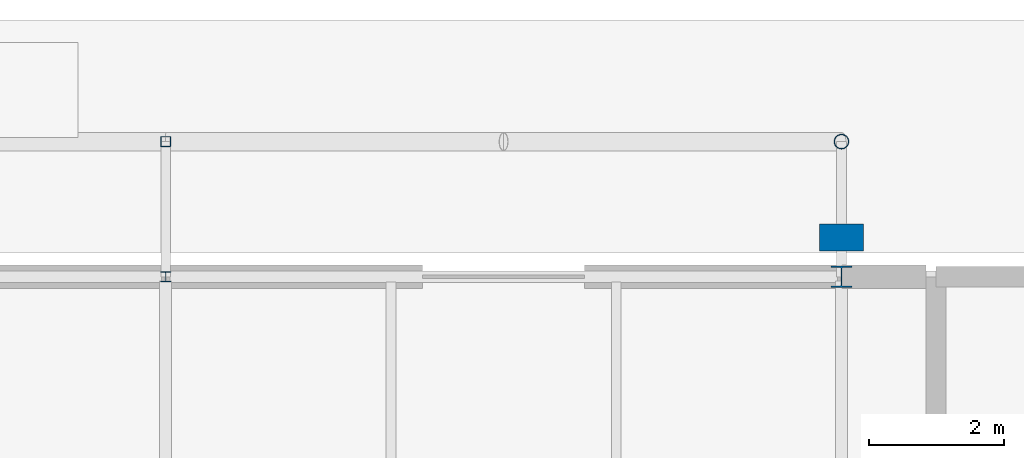
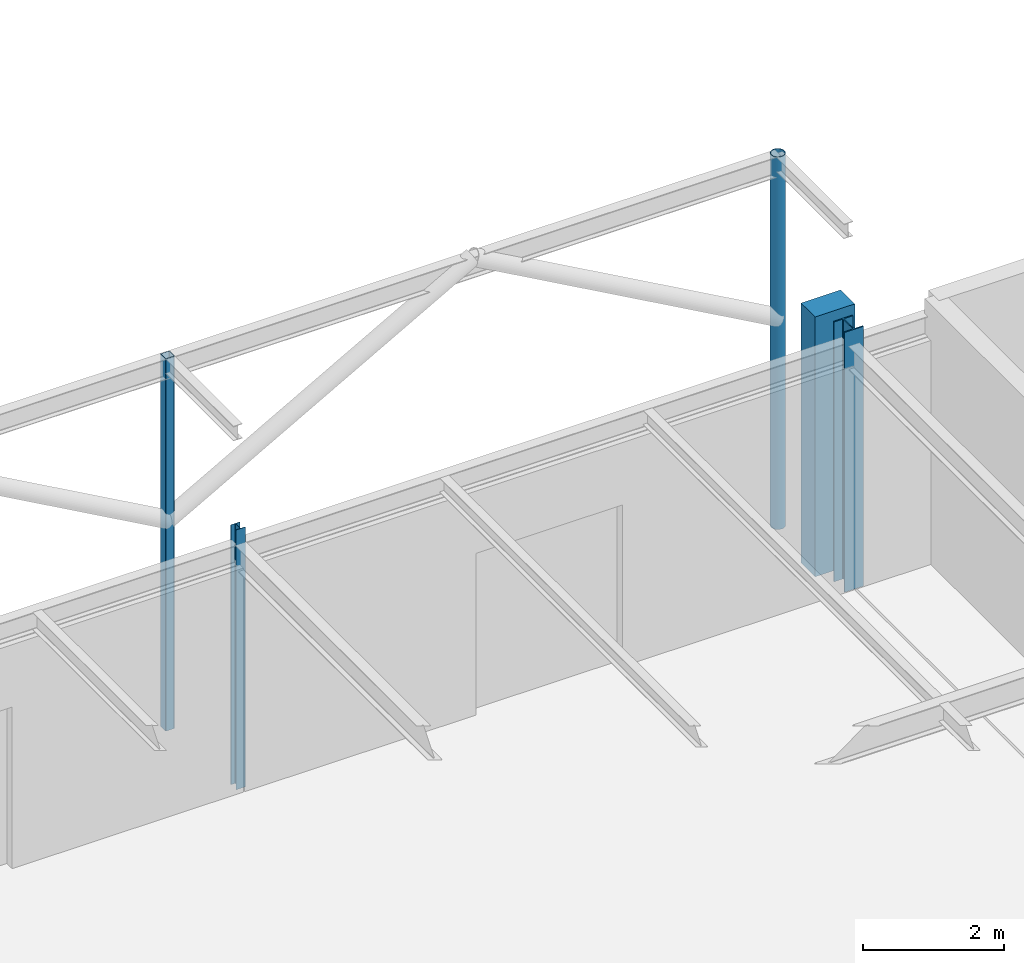
# One storey, part 44 of 119: 5 columns.
"""IFC4 building model written with IfcOpenShell, lengths in metres."""

from ifc_helpers import new_model, si_unit, derived_unit, direction, frame, origin, origin_2d_with_axis, place, context, subcontext, project, spatial, rectangle, hollow_rectangle, hollow_circle, i_section, extrude, material, material_profile, profile_set, type_object, element, save


model = new_model("IFC4")

# Units and contexts
model_context = context("Model", 3, precision=1e-05, world=origin(), true_north=direction((0.0, 1.0)))
body_context = subcontext(model_context, "Body", "Model", "MODEL_VIEW")
ifc_project = project(units=[si_unit("LENGTHUNIT", "METRE"), si_unit("AREAUNIT", "SQUARE_METRE"), si_unit("VOLUMEUNIT", "CUBIC_METRE"), si_unit("PLANEANGLEUNIT", "RADIAN"), si_unit("MASSUNIT", "GRAM", prefix="KILO"), derived_unit("THERMALTRANSMITTANCEUNIT", [(si_unit("POWERUNIT", "WATT"), 1), (si_unit("LENGTHUNIT", "METRE"), -2), (si_unit("THERMODYNAMICTEMPERATUREUNIT", "KELVIN"), -1)])], contexts=[model_context])

# Site, building, storey
site_placement = place(None, origin())
site = spatial("IfcSite", under=ifc_project, at=site_placement, CompositionType="ELEMENT")
building_placement = place(site_placement, origin())
building = spatial("IfcBuilding", under=site, at=building_placement, Name="Cinnabar Yard Market Hall", CompositionType="ELEMENT")
storey_placement = place(building_placement, origin())
storey = spatial("IfcBuildingStorey", under=building, at=storey_placement, Name="L00", CompositionType="ELEMENT", Elevation=0.0)

# Columns
ifc_material_1 = material(Name="Spotted-gum glulam-clad steel Grade 350 (350 MPa)", Category="steel")
ifc_material_profile_1 = material_profile(ifc_material_1, hollow_circle(Radius=0.109619140625, WallThickness=0.00830078125, at=origin_2d_with_axis()), Name="219.1x8.2CHS")
ifc_profile_set_1 = profile_set([ifc_material_profile_1], Name="Spotted-gum glulam-clad steel Grade 350 (350 MPa)")
column_type_1 = type_object("IfcColumnType", Name="COL-C05E", PredefinedType="COLUMN", material=ifc_profile_set_1)
column_1_placement = place(storey_placement, frame((126.0, 140.0, -0.199951171875), z_axis=(0.0, 0.0, 1.0), x_axis=(1.0, 0.0, 0.0)))
element("IfcColumn", 1, at=column_1_placement, inside=storey, type_object=column_type_1, Name="Passage Colonnade Post V5C-3", PredefinedType="COLUMN", context=body_context, shape_type="SweptSolid", body=[
    extrude(hollow_circle(Radius=0.109619140625, WallThickness=0.00830078125, at=origin_2d_with_axis()), origin(), (0.0, 0.0, 1.0), 6.449951171875),
])
ifc_material_2 = material(Name="Steel Grade 350 (350 MPa)", Category="steel")
ifc_material_profile_2 = material_profile(ifc_material_2, i_section(OverallWidth=0.30908203125, OverallDepth=0.320556640625, WebThickness=0.013916015625, FlangeThickness=0.021728515625, FilletRadius=0.0166015625, at=origin_2d_with_axis()), Name="310UC137")
ifc_profile_set_2 = profile_set([ifc_material_profile_2], Name="Steel Grade 350 (350 MPa)")
column_type_2 = type_object("IfcColumnType", Name="COL-C07E", PredefinedType="COLUMN", material=ifc_profile_set_2)
column_2_placement = place(storey_placement, frame((126.0, 138.0, 0.0), z_axis=(0.0, 0.0, 1.0), x_axis=(1.0, 0.0, 0.0)))
element("IfcColumn", 2, at=column_2_placement, inside=storey, type_object=column_type_2, Name="Wing Column V3-07-05 L00", PredefinedType="COLUMN", context=body_context, shape_type="SweptSolid", body=[
    extrude(i_section(OverallWidth=0.30908203125, OverallDepth=0.320556640625, WebThickness=0.013916015625, FlangeThickness=0.021728515625, FilletRadius=0.0166015625, at=origin_2d_with_axis()), origin(), (0.0, 0.0, 1.0), 4.5),
])
ifc_material_3 = material(Name="Cold-formed steel C350L0", Category="steel")
ifc_material_profile_3 = material_profile(ifc_material_3, hollow_rectangle(XDim=0.14990234375, YDim=0.14990234375, WallThickness=0.006103515625, InnerFilletRadius=0.006103515625, OuterFilletRadius=0.011962890625, at=origin_2d_with_axis()), Name="150x150x6.0SHS")
ifc_profile_set_3 = profile_set([ifc_material_profile_3], Name="Cold-formed steel C350L0")
column_type_3 = type_object("IfcColumnType", Name="COL-C16E", PredefinedType="COLUMN", material=ifc_profile_set_3)
column_3_placement = place(storey_placement, frame((116.0, 140.0, -0.199951171875), z_axis=(0.0, 0.0, 1.0), x_axis=(1.0, 0.0, 0.0)))
element("IfcColumn", 3, at=column_3_placement, inside=storey, type_object=column_type_3, Name="Passage Colonnade Post V5C-2", PredefinedType="COLUMN", context=body_context, shape_type="SweptSolid", body=[
    extrude(hollow_rectangle(XDim=0.14990234375, YDim=0.14990234375, WallThickness=0.006103515625, InnerFilletRadius=0.006103515625, OuterFilletRadius=0.011962890625, at=origin_2d_with_axis()), origin(), (0.0, 0.0, 1.0), 6.449951171875),
])
ifc_material_4 = material(Name="Steel Grade 300 (300 MPa)", Category="steel")
ifc_material_profile_4 = material_profile(ifc_material_4, i_section(OverallWidth=0.152099609375, OverallDepth=0.15234375, WebThickness=0.005859375, FlangeThickness=0.0068359375, FilletRadius=0.0087890625, at=origin_2d_with_axis()), Name="150UC23.4")
ifc_profile_set_4 = profile_set([ifc_material_profile_4], Name="Steel Grade 300 (300 MPa)")
column_type_4 = type_object("IfcColumnType", Name="COL-C19E", PredefinedType="COLUMN", material=ifc_profile_set_4)
column_4_placement = place(storey_placement, frame((116.0, 138.0, 0.0), z_axis=(0.0, 0.0, 1.0), x_axis=(1.0, 0.0, 0.0)))
element("IfcColumn", 4, at=column_4_placement, inside=storey, type_object=column_type_4, Name="Wing Column V3-06-05 L00", PredefinedType="COLUMN", context=body_context, shape_type="SweptSolid", body=[
    extrude(i_section(OverallWidth=0.152099609375, OverallDepth=0.15234375, WebThickness=0.005859375, FlangeThickness=0.0068359375, FilletRadius=0.0087890625, at=origin_2d_with_axis()), origin(), (0.0, 0.0, 1.0), 4.5),
])
ifc_material_5 = material(Name="Concrete 40 MPa", Category="concrete")
ifc_material_profile_5 = material_profile(ifc_material_5, rectangle(XDim=0.64990234375, YDim=0.39990234375, at=origin_2d_with_axis()), Name="RC-650x400")
ifc_profile_set_5 = profile_set([ifc_material_profile_5], Name="Concrete 40 MPa")
column_type_5 = type_object("IfcColumnType", Name="COL-PIL2E", PredefinedType="PILASTER", material=ifc_profile_set_5)
column_5_placement = place(storey_placement, frame((126.0, 138.580078125, 0.0), z_axis=(0.0, 0.0, 1.0), x_axis=(1.0, 0.0, 0.0)))
element("IfcColumn", 5, at=column_5_placement, inside=storey, type_object=column_type_5, Name="Engaged Pilaster 10 L00", PredefinedType="PILASTER", context=body_context, shape_type="SweptSolid", body=[
    extrude(rectangle(XDim=0.64990234375, YDim=0.39990234375, at=origin_2d_with_axis()), origin(), (0.0, 0.0, 1.0), 4.5),
])

save(model, "model.ifc")
